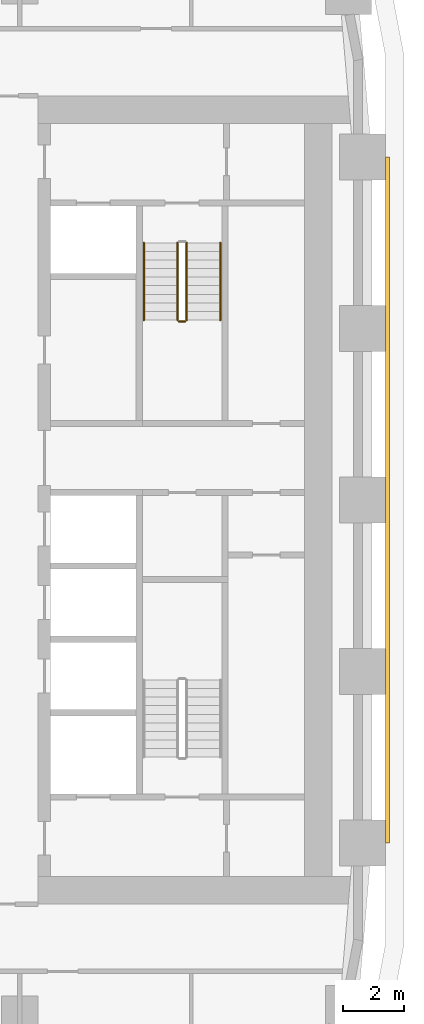
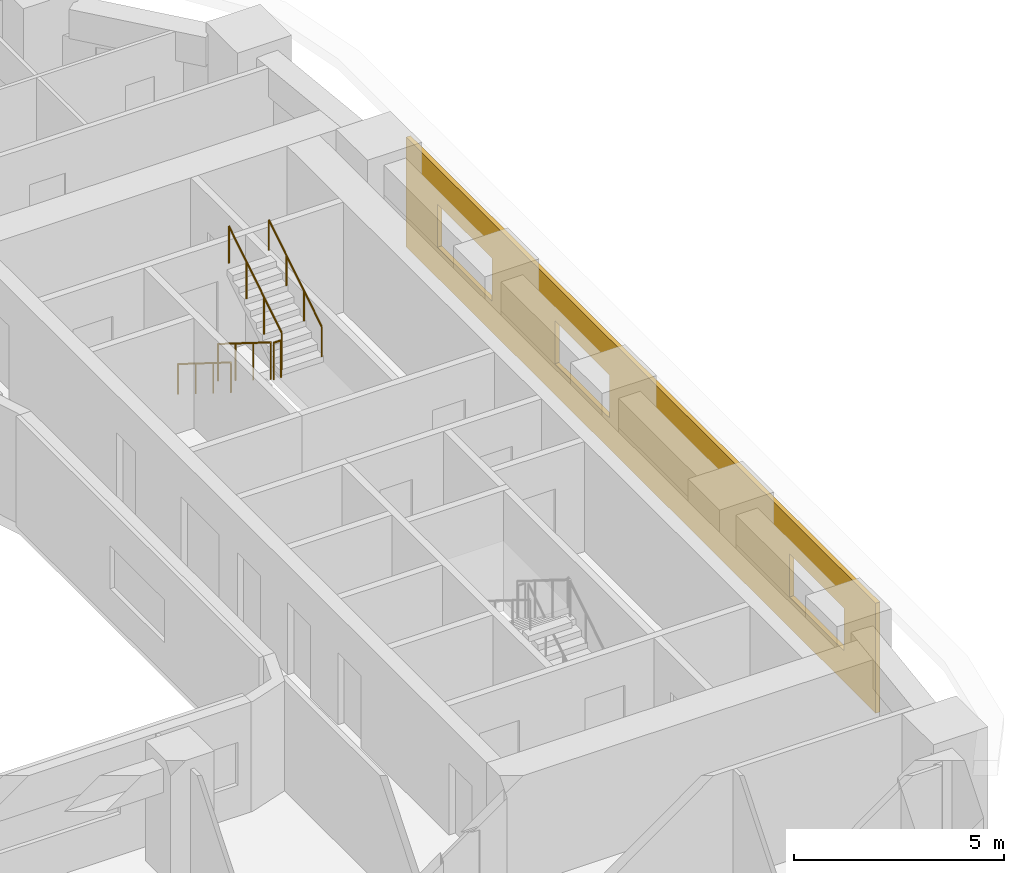
# One storey, part 17 of 20: 5 railings, 1 covering.
"""IFC4 building model written with IfcOpenShell, lengths in metres."""

from ifc_helpers import new_model, si_unit, direction, frame, origin, origin_2d, place, context, subcontext, project, spatial, polyline, circle, outline, extrude, material, layer, layer_set, type_object, element, save


model = new_model("IFC4")

# Units and contexts
model_context = context("Model", 3, precision=1e-05, world=origin(), true_north=direction((0.0, 1.0)))
body_context = subcontext(model_context, "Body", "Model", "MODEL_VIEW")
ifc_project = project(units=[si_unit("LENGTHUNIT", "METRE"), si_unit("AREAUNIT", "SQUARE_METRE"), si_unit("VOLUMEUNIT", "CUBIC_METRE"), si_unit("PLANEANGLEUNIT", "RADIAN"), si_unit("MASSUNIT", "GRAM", prefix="KILO")], contexts=[model_context])

# Site, building, storey
site_placement = place(None, origin())
site = spatial("IfcSite", under=ifc_project, at=site_placement, CompositionType="ELEMENT")
building_placement = place(site_placement, origin())
building = spatial("IfcBuilding", under=site, at=building_placement, Name="Kiln Ring Residences", CompositionType="ELEMENT")
storey_placement = place(building_placement, frame((0.0, 0.0, 37.5)))
storey = spatial("IfcBuildingStorey", under=building, at=storey_placement, Name="L08", CompositionType="ELEMENT", Elevation=37.5)

# Railings
ifc_material_1 = material(Name="Stainless steel", Category="steel")
railing_type_1 = type_object("IfcRailingType", Name="CORE-STAIR-GUARD", PredefinedType="GUARDRAIL", material=ifc_material_1)
railing_1_placement = place(storey_placement, frame((21.949951171875, 8.39990234375, 0.175048828125)))
element("IfcRailing", 1, at=railing_1_placement, inside=storey, type_object=railing_type_1, Name="L08 E-STN stair guard 1", PredefinedType="GUARDRAIL", context=body_context, shape_type="SweptSolid", body=[
    extrude(circle(Radius=0.02392578125, at=origin_2d()), frame((0.0, 0.0, 1.076171875), z_axis=(0.0, -0.848007534815, 0.529984170421), x_axis=(1.0, 0.0, 0.0)), (0.0, 0.0, 1.0), 2.9716796875),
    extrude(circle(Radius=0.02099609375, at=origin_2d()), origin(), (0.0, 0.0, 1.0), 1.052001953125),
    extrude(circle(Radius=0.02099609375, at=origin_2d()), frame((0.0, -0.840087890625, 0.52490234375)), (0.0, 0.0, 1.0), 1.052001953125),
    extrude(circle(Radius=0.02099609375, at=origin_2d()), frame((0.0, -1.679931640625, 1.050048828125)), (0.0, 0.0, 1.0), 1.052001953125),
    extrude(circle(Radius=0.02099609375, at=origin_2d()), frame((0.0, -2.52001953125, 1.574951171875)), (0.0, 0.0, 1.0), 1.052001953125),
])
railing_2_placement = place(storey_placement, frame((22.0, 5.830078125, 1.75)))
element("IfcRailing", 2, at=railing_2_placement, inside=storey, type_object=railing_type_1, Name="L08 E-STN stair guard 2", PredefinedType="GUARDRAIL", context=body_context, shape_type="SweptSolid", body=[
    extrude(circle(Radius=0.02392578125, at=origin_2d()), frame((0.0, 0.0, 1.076171875), z_axis=(1.0, 0.0, 0.0), x_axis=(0.0, 1.0, 0.0)), (0.0, 0.0, 1.0), 0.199951171875),
    extrude(circle(Radius=0.02099609375, at=origin_2d()), origin(), (0.0, 0.0, 1.0), 1.052001953125),
    extrude(circle(Radius=0.02099609375, at=origin_2d()), frame((0.199951171875, 0.0, 0.0)), (0.0, 0.0, 1.0), 1.052001953125),
])
railing_3_placement = place(storey_placement, frame((22.25, 5.8798828125, 1.925048828125)))
element("IfcRailing", 3, at=railing_3_placement, inside=storey, type_object=railing_type_1, Name="L08 E-STN stair guard 3", PredefinedType="GUARDRAIL", context=body_context, shape_type="SweptSolid", body=[
    extrude(circle(Radius=0.02392578125, at=origin_2d()), frame((0.0, 0.0, 1.076171875), z_axis=(0.0, 0.848007534815, 0.529984170421), x_axis=(-1.0, 0.0, 0.0)), (0.0, 0.0, 1.0), 2.9716796875),
    extrude(circle(Radius=0.02099609375, at=origin_2d()), origin(), (0.0, 0.0, 1.0), 1.052001953125),
    extrude(circle(Radius=0.02099609375, at=origin_2d()), frame((0.0, 0.840087890625, 0.52490234375)), (0.0, 0.0, 1.0), 1.052001953125),
    extrude(circle(Radius=0.02099609375, at=origin_2d()), frame((0.0, 1.679931640625, 1.050048828125)), (0.0, 0.0, 1.0), 1.052001953125),
    extrude(circle(Radius=0.02099609375, at=origin_2d()), frame((0.0, 2.52001953125, 1.574951171875)), (0.0, 0.0, 1.0), 1.052001953125),
])
ifc_material_2 = material(Name="Stainless steel", Category="steel")
railing_type_2 = type_object("IfcRailingType", Name="CORE-STAIR-HANDRAIL", PredefinedType="HANDRAIL", material=ifc_material_2)
railing_4_placement = place(storey_placement, frame((20.85009765625, 8.39990234375, 0.175048828125)))
element("IfcRailing", 4, at=railing_4_placement, inside=storey, type_object=railing_type_2, Name="L08 E-STN stair handrail 1", PredefinedType="HANDRAIL", context=body_context, shape_type="SweptSolid", body=[
    extrude(circle(Radius=0.02392578125, at=origin_2d()), frame((0.0, 0.0, 0.8759765625), z_axis=(0.0, -0.848007534815, 0.529984170421), x_axis=(1.0, 0.0, 0.0)), (0.0, 0.0, 1.0), 2.9716796875),
    extrude(circle(Radius=0.02099609375, at=origin_2d()), origin(), (0.0, 0.0, 1.0), 0.851806640625),
    extrude(circle(Radius=0.02099609375, at=origin_2d()), frame((0.0, -0.840087890625, 0.52490234375)), (0.0, 0.0, 1.0), 0.851806640625),
    extrude(circle(Radius=0.02099609375, at=origin_2d()), frame((0.0, -1.679931640625, 1.050048828125)), (0.0, 0.0, 1.0), 0.851806640625),
    extrude(circle(Radius=0.02099609375, at=origin_2d()), frame((0.0, -2.52001953125, 1.574951171875)), (0.0, 0.0, 1.0), 0.851806640625),
])
railing_5_placement = place(storey_placement, frame((23.35009765625, 5.8798828125, 1.925048828125)))
element("IfcRailing", 5, at=railing_5_placement, inside=storey, type_object=railing_type_2, Name="L08 E-STN stair handrail 2", PredefinedType="HANDRAIL", context=body_context, shape_type="SweptSolid", body=[
    extrude(circle(Radius=0.02392578125, at=origin_2d()), frame((0.0, 0.0, 0.8759765625), z_axis=(0.0, 0.848007534815, 0.529984170421), x_axis=(-1.0, 0.0, 0.0)), (0.0, 0.0, 1.0), 2.9716796875),
    extrude(circle(Radius=0.02099609375, at=origin_2d()), origin(), (0.0, 0.0, 1.0), 0.851806640625),
    extrude(circle(Radius=0.02099609375, at=origin_2d()), frame((0.0, 0.840087890625, 0.52490234375)), (0.0, 0.0, 1.0), 0.851806640625),
    extrude(circle(Radius=0.02099609375, at=origin_2d()), frame((0.0, 1.679931640625, 1.050048828125)), (0.0, 0.0, 1.0), 0.851806640625),
    extrude(circle(Radius=0.02099609375, at=origin_2d()), frame((0.0, 2.52001953125, 1.574951171875)), (0.0, 0.0, 1.0), 0.851806640625),
])

# Covering
ifc_material_3 = material(Name="Brick masonry, dark clay brick", Category="masonry")
ifc_layer = layer(ifc_material_3, 0.1201171875)
ifc_layer_set = layer_set([ifc_layer], Name="RAINSCREEN PANEL 120")
covering_type = type_object("IfcCoveringType", Name="RAINSCREEN PANEL 120", PredefinedType="CLADDING", material=ifc_layer_set)
covering_placement = place(storey_placement, frame((28.81005859375, -11.199951171875, 0.0), z_axis=(0.0, 0.0, 1.0), x_axis=(0.0, 1.0, 0.0)))
element("IfcCovering", 6, at=covering_placement, inside=storey, type_object=covering_type, Name="RAINSCREEN L08", PredefinedType="CLADDING", context=body_context, shape_type="SweptSolid", body=[
    extrude(outline(polyline([(0.0, 0.0), (22.39990234375, 0.0), (22.39990234375, 3.199951171875), (0.0, 3.199951171875), (0.0, 0.0)]), holes=[polyline([(4.10009765625, 2.14990234375), (1.5, 2.14990234375), (1.5, 0.89990234375), (4.10009765625, 0.89990234375), (4.10009765625, 2.14990234375)]), polyline([(15.300048828125, 0.89990234375), (15.300048828125, 2.14990234375), (12.699951171875, 2.14990234375), (12.699951171875, 0.89990234375), (15.300048828125, 0.89990234375)]), polyline([(20.89990234375, 0.89990234375), (20.89990234375, 2.14990234375), (18.300048828125, 2.14990234375), (18.300048828125, 0.89990234375), (20.89990234375, 0.89990234375)])]), frame((0.0, 0.06005859375, 0.0), z_axis=(0.0, -1.0, 0.0), x_axis=(1.0, 0.0, 0.0)), (0.0, 0.0, 1.0), 0.1201171875),
])

save(model, "model.ifc")
